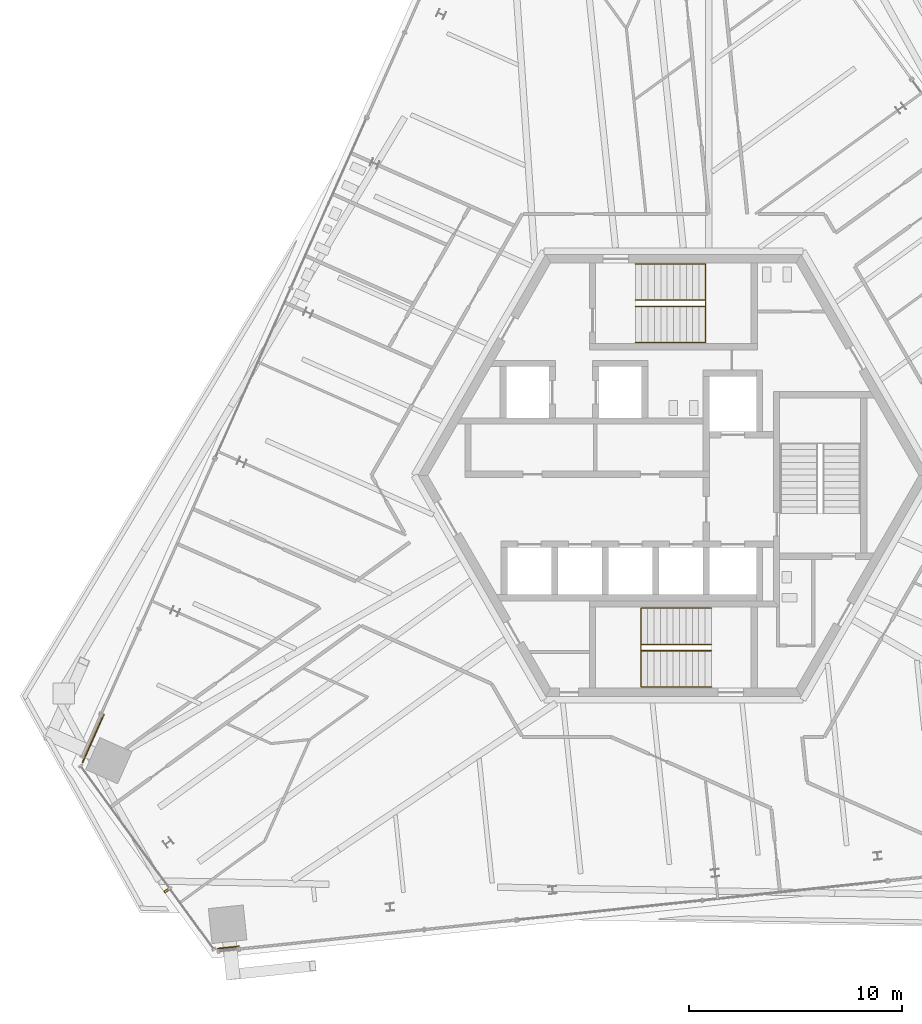
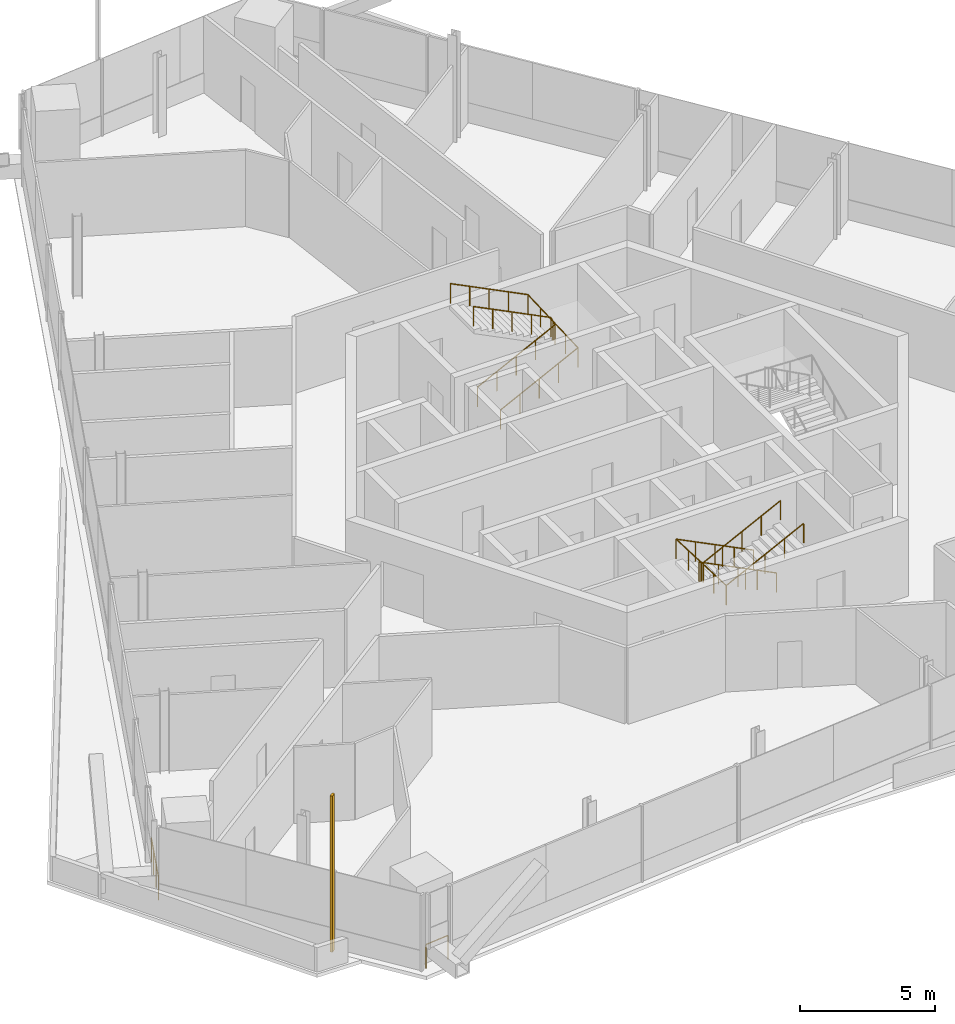
# One storey, part 18 of 21: 6 railings, 1 shading device.
"""IFC4 building model written with IfcOpenShell, lengths in metres."""

from ifc_helpers import new_model, si_unit, direction, frame, origin, origin_2d, place, context, subcontext, project, spatial, rectangle, circle, extrude, source, transform, mapped, material, type_object, element, save


model = new_model("IFC4")

# Units and contexts
model_context = context("Model", 3, precision=1e-05, world=origin(), true_north=direction((0.0, 1.0)))
body_context = subcontext(model_context, "Body", "Model", "MODEL_VIEW")
ifc_project = project(units=[si_unit("LENGTHUNIT", "METRE"), si_unit("AREAUNIT", "SQUARE_METRE"), si_unit("VOLUMEUNIT", "CUBIC_METRE"), si_unit("PLANEANGLEUNIT", "RADIAN"), si_unit("MASSUNIT", "GRAM", prefix="KILO")], contexts=[model_context])

# Site, building, storey
site_placement = place(None, origin())
site = spatial("IfcSite", under=ifc_project, at=site_placement, CompositionType="ELEMENT")
building_placement = place(site_placement, origin())
building = spatial("IfcBuilding", under=site, at=building_placement, Name="Triune Harvest Tower", CompositionType="ELEMENT")
storey_placement = place(building_placement, frame((0.0, 0.0, 219.699951171875)))
storey = spatial("IfcBuildingStorey", under=building, at=storey_placement, Name="L57", CompositionType="ELEMENT", Elevation=219.699951171875)

# Railings
ifc_material_1 = material(Name="Glass", Category="glass")
railing_type_1 = type_object("IfcRailingType", Name="GD-3 facade guard 1100", PredefinedType="GUARDRAIL", material=ifc_material_1)
railing_1_placement = place(storey_placement, frame((-26.76513671875, -11.23974609375, 0.0)))
element("IfcRailing", 1, at=railing_1_placement, inside=storey, type_object=railing_type_1, Name="Facade guard B6-F3 L57.1.2", PredefinedType="GUARDRAIL", context=body_context, shape_type="SweptSolid", body=[
    extrude(circle(Radius=0.02392578125, at=origin_2d()), frame((0.0, 0.0, 1.076171875), z_axis=(-0.406682049802, -0.91356976218, 0.0), x_axis=(0.91356976218, -0.406682049802, 0.0)), (0.0, 0.0, 1.0), 2.458251953125),
    extrude(circle(Radius=0.02099609375, at=origin_2d()), origin(), (0.0, 0.0, 1.0), 1.052001953125),
    extrude(circle(Radius=0.02099609375, at=origin_2d()), frame((-0.333251953125, -0.74853515625, 0.0)), (0.0, 0.0, 1.0), 1.052001953125),
    extrude(circle(Radius=0.02099609375, at=origin_2d()), frame((-0.66650390625, -1.497314453125, 0.0)), (0.0, 0.0, 1.0), 1.052001953125),
    extrude(circle(Radius=0.02099609375, at=origin_2d()), frame((-0.999755859375, -2.245849609375, 0.0)), (0.0, 0.0, 1.0), 1.052001953125),
])
railing_2_placement = place(storey_placement, frame((-21.4052734375, -22.23876953125, 0.0)))
element("IfcRailing", 2, at=railing_2_placement, inside=storey, type_object=railing_type_1, Name="Facade guard B6-F5 L57.1.1", PredefinedType="GUARDRAIL", context=body_context, shape_type="SweptSolid", body=[
    extrude(circle(Radius=0.02392578125, at=origin_2d()), frame((0.0, 0.0, 1.076171875), z_axis=(0.994517523304, 0.104570052315, 0.0), x_axis=(-0.104570052315, 0.994517523304, 0.0)), (0.0, 0.0, 1.0), 0.996826171875),
    extrude(circle(Radius=0.02099609375, at=origin_2d()), origin(), (0.0, 0.0, 1.0), 1.052001953125),
    extrude(circle(Radius=0.02099609375, at=origin_2d()), frame((0.991455078125, 0.104248046875, 0.0)), (0.0, 0.0, 1.0), 1.052001953125),
])
ifc_material_2 = material(Name="Stainless steel AISI 316", Category="steel")
railing_type_2 = type_object("IfcRailingType", Name="Stair handrail", PredefinedType="HANDRAIL", material=ifc_material_2)
shared_shape_1 = source(origin(), body_context, "Body", "SweptSolid", [
    extrude(circle(Radius=0.02392578125, at=origin_2d()), frame((0.0, 0.0, 0.8759765625), z_axis=(0.894440424912, 0.0, 0.447187126696), x_axis=(0.0, 1.0, 0.0)), (0.0, 0.0, 1.0), 3.689453125),
    extrude(circle(Radius=0.02392578125, at=origin_2d()), frame((3.300048828125, 0.0, 2.52587890625), z_axis=(0.0, 0.999180289278, 0.040481471304), x_axis=(-1.0, 0.0, 0.0)), (0.0, 0.0, 1.0), 3.702880859375),
    extrude(circle(Radius=0.02392578125, at=origin_2d()), frame((3.300048828125, 3.699951171875, 2.67578125), z_axis=(-0.894413956696, 0.0, 0.447240063129), x_axis=(0.0, -1.0, 0.0)), (0.0, 0.0, 1.0), 3.689697265625),
    extrude(circle(Radius=0.02099609375, at=origin_2d()), origin(), (0.0, 0.0, 1.0), 0.851806640625),
    extrude(circle(Radius=0.02099609375, at=origin_2d()), frame((0.824951171875, 0.0, 0.41259765625)), (0.0, 0.0, 1.0), 0.851806640625),
    extrude(circle(Radius=0.02099609375, at=origin_2d()), frame((1.64990234375, 0.0, 0.824951171875)), (0.0, 0.0, 1.0), 0.851806640625),
    extrude(circle(Radius=0.02099609375, at=origin_2d()), frame((2.47509765625, 0.0, 1.2373046875)), (0.0, 0.0, 1.0), 0.851806640625),
    extrude(circle(Radius=0.02099609375, at=origin_2d()), frame((3.300048828125, 0.0, 1.64990234375)), (0.0, 0.0, 1.0), 0.851806640625),
    extrude(circle(Radius=0.02099609375, at=origin_2d()), frame((3.300048828125, 0.925048828125, 1.6875)), (0.0, 0.0, 1.0), 0.851806640625),
    extrude(circle(Radius=0.02099609375, at=origin_2d()), frame((3.300048828125, 1.85009765625, 1.724853515625)), (0.0, 0.0, 1.0), 0.851806640625),
    extrude(circle(Radius=0.02099609375, at=origin_2d()), frame((3.300048828125, 2.77490234375, 1.76220703125)), (0.0, 0.0, 1.0), 0.851806640625),
    extrude(circle(Radius=0.02099609375, at=origin_2d()), frame((3.300048828125, 3.699951171875, 1.7998046875)), (0.0, 0.0, 1.0), 0.851806640625),
    extrude(circle(Radius=0.02099609375, at=origin_2d()), frame((2.47509765625, 3.699951171875, 2.21240234375)), (0.0, 0.0, 1.0), 0.851806640625),
    extrude(circle(Radius=0.02099609375, at=origin_2d()), frame((1.64990234375, 3.699951171875, 2.625)), (0.0, 0.0, 1.0), 0.851806640625),
    extrude(circle(Radius=0.02099609375, at=origin_2d()), frame((0.824951171875, 3.699951171875, 3.037353515625)), (0.0, 0.0, 1.0), 0.851806640625),
    extrude(circle(Radius=0.02099609375, at=origin_2d()), frame((0.0, 3.699951171875, 3.449951171875)), (0.0, 0.0, 1.0), 0.851806640625),
])
railing_3_placement = place(storey_placement, frame((-1.7900390625, 6.239990234375, 0.150146484375)))
element("IfcRailing", 3, at=railing_3_placement, inside=storey, type_object=railing_type_2, Name="Exit stair north wall handrail", PredefinedType="HANDRAIL", context=body_context, shape_type="MappedRepresentation", body=[
    mapped(shared_shape_1, transform((0.0, 0.0, 0.0), scale=1.0)),
])
shared_shape_2 = source(origin(), body_context, "Body", "SweptSolid", [
    extrude(circle(Radius=0.02392578125, at=origin_2d()), frame((0.0, 0.0, 0.8759765625), z_axis=(0.894440424912, 0.0, 0.447187126696), x_axis=(0.0, 1.0, 0.0)), (0.0, 0.0, 1.0), 3.689453125),
    extrude(circle(Radius=0.02392578125, at=origin_2d()), frame((3.300048828125, 0.0, 2.52587890625), z_axis=(0.0, 0.894572720946, 0.446922417137), x_axis=(-1.0, 0.0, 0.0)), (0.0, 0.0, 1.0), 0.33544921875),
    extrude(circle(Radius=0.02392578125, at=origin_2d()), frame((3.300048828125, 0.300048828125, 2.67578125), z_axis=(-0.894413956696, 0.0, 0.447240063129), x_axis=(0.0, -1.0, 0.0)), (0.0, 0.0, 1.0), 3.689697265625),
    extrude(circle(Radius=0.02099609375, at=origin_2d()), origin(), (0.0, 0.0, 1.0), 0.851806640625),
    extrude(circle(Radius=0.02099609375, at=origin_2d()), frame((0.824951171875, 0.0, 0.41259765625)), (0.0, 0.0, 1.0), 0.851806640625),
    extrude(circle(Radius=0.02099609375, at=origin_2d()), frame((1.64990234375, 0.0, 0.824951171875)), (0.0, 0.0, 1.0), 0.851806640625),
    extrude(circle(Radius=0.02099609375, at=origin_2d()), frame((2.47509765625, 0.0, 1.2373046875)), (0.0, 0.0, 1.0), 0.851806640625),
    extrude(circle(Radius=0.02099609375, at=origin_2d()), frame((3.300048828125, 0.0, 1.64990234375)), (0.0, 0.0, 1.0), 0.851806640625),
    extrude(circle(Radius=0.02099609375, at=origin_2d()), frame((3.300048828125, 0.300048828125, 1.7998046875)), (0.0, 0.0, 1.0), 0.851806640625),
    extrude(circle(Radius=0.02099609375, at=origin_2d()), frame((2.47509765625, 0.300048828125, 2.21240234375)), (0.0, 0.0, 1.0), 0.851806640625),
    extrude(circle(Radius=0.02099609375, at=origin_2d()), frame((1.64990234375, 0.300048828125, 2.625)), (0.0, 0.0, 1.0), 0.851806640625),
    extrude(circle(Radius=0.02099609375, at=origin_2d()), frame((0.824951171875, 0.300048828125, 3.037353515625)), (0.0, 0.0, 1.0), 0.851806640625),
    extrude(circle(Radius=0.02099609375, at=origin_2d()), frame((0.0, 0.300048828125, 3.449951171875)), (0.0, 0.0, 1.0), 0.851806640625),
])
railing_4_placement = place(storey_placement, frame((-1.7900390625, 7.93994140625, 0.150146484375)))
element("IfcRailing", 4, at=railing_4_placement, inside=storey, type_object=railing_type_2, Name="Exit stair north centre handrail", PredefinedType="HANDRAIL", context=body_context, shape_type="MappedRepresentation", body=[
    mapped(shared_shape_2, transform((0.0, 0.0, 0.0), scale=1.0)),
])
shared_shape_3 = source(origin(), body_context, "Body", "SweptSolid", [
    extrude(circle(Radius=0.02392578125, at=origin_2d()), frame((0.0, 0.0, 0.8759765625), z_axis=(-0.894440424912, 0.0, 0.447187126696), x_axis=(0.0, -1.0, 0.0)), (0.0, 0.0, 1.0), 3.689453125),
    extrude(circle(Radius=0.02392578125, at=origin_2d()), frame((-3.300048828125, 0.0, 2.52587890625), z_axis=(0.0, -0.999180289278, 0.040481471304), x_axis=(1.0, 0.0, 0.0)), (0.0, 0.0, 1.0), 3.702880859375),
    extrude(circle(Radius=0.02392578125, at=origin_2d()), frame((-3.300048828125, -3.699951171875, 2.67578125), z_axis=(0.894413956696, 0.0, 0.447240063129), x_axis=(0.0, 1.0, 0.0)), (0.0, 0.0, 1.0), 3.689697265625),
    extrude(circle(Radius=0.02099609375, at=origin_2d()), origin(), (0.0, 0.0, 1.0), 0.851806640625),
    extrude(circle(Radius=0.02099609375, at=origin_2d()), frame((-0.824951171875, 0.0, 0.41259765625)), (0.0, 0.0, 1.0), 0.851806640625),
    extrude(circle(Radius=0.02099609375, at=origin_2d()), frame((-1.64990234375, 0.0, 0.824951171875)), (0.0, 0.0, 1.0), 0.851806640625),
    extrude(circle(Radius=0.02099609375, at=origin_2d()), frame((-2.47509765625, 0.0, 1.2373046875)), (0.0, 0.0, 1.0), 0.851806640625),
    extrude(circle(Radius=0.02099609375, at=origin_2d()), frame((-3.300048828125, 0.0, 1.64990234375)), (0.0, 0.0, 1.0), 0.851806640625),
    extrude(circle(Radius=0.02099609375, at=origin_2d()), frame((-3.300048828125, -0.925048828125, 1.6875)), (0.0, 0.0, 1.0), 0.851806640625),
    extrude(circle(Radius=0.02099609375, at=origin_2d()), frame((-3.300048828125, -1.85009765625, 1.724853515625)), (0.0, 0.0, 1.0), 0.851806640625),
    extrude(circle(Radius=0.02099609375, at=origin_2d()), frame((-3.300048828125, -2.77490234375, 1.76220703125)), (0.0, 0.0, 1.0), 0.851806640625),
    extrude(circle(Radius=0.02099609375, at=origin_2d()), frame((-3.300048828125, -3.699951171875, 1.7998046875)), (0.0, 0.0, 1.0), 0.851806640625),
    extrude(circle(Radius=0.02099609375, at=origin_2d()), frame((-2.47509765625, -3.699951171875, 2.21240234375)), (0.0, 0.0, 1.0), 0.851806640625),
    extrude(circle(Radius=0.02099609375, at=origin_2d()), frame((-1.64990234375, -3.699951171875, 2.625)), (0.0, 0.0, 1.0), 0.851806640625),
    extrude(circle(Radius=0.02099609375, at=origin_2d()), frame((-0.824951171875, -3.699951171875, 3.037353515625)), (0.0, 0.0, 1.0), 0.851806640625),
    extrude(circle(Radius=0.02099609375, at=origin_2d()), frame((0.0, -3.699951171875, 3.449951171875)), (0.0, 0.0, 1.0), 0.851806640625),
])
railing_5_placement = place(storey_placement, frame((1.7900390625, -6.239990234375, 0.150146484375)))
element("IfcRailing", 5, at=railing_5_placement, inside=storey, type_object=railing_type_2, Name="Exit stair south wall handrail", PredefinedType="HANDRAIL", context=body_context, shape_type="MappedRepresentation", body=[
    mapped(shared_shape_3, transform((0.0, 0.0, 0.0), scale=1.0)),
])
shared_shape_4 = source(origin(), body_context, "Body", "SweptSolid", [
    extrude(circle(Radius=0.02392578125, at=origin_2d()), frame((0.0, 0.0, 0.8759765625), z_axis=(-0.894440424912, 0.0, 0.447187126696), x_axis=(0.0, -1.0, 0.0)), (0.0, 0.0, 1.0), 3.689453125),
    extrude(circle(Radius=0.02392578125, at=origin_2d()), frame((-3.300048828125, 0.0, 2.52587890625), z_axis=(0.0, -0.894572720946, 0.446922417137), x_axis=(1.0, 0.0, 0.0)), (0.0, 0.0, 1.0), 0.33544921875),
    extrude(circle(Radius=0.02392578125, at=origin_2d()), frame((-3.300048828125, -0.300048828125, 2.67578125), z_axis=(0.894413956696, 0.0, 0.447240063129), x_axis=(0.0, 1.0, 0.0)), (0.0, 0.0, 1.0), 3.689697265625),
    extrude(circle(Radius=0.02099609375, at=origin_2d()), origin(), (0.0, 0.0, 1.0), 0.851806640625),
    extrude(circle(Radius=0.02099609375, at=origin_2d()), frame((-0.824951171875, 0.0, 0.41259765625)), (0.0, 0.0, 1.0), 0.851806640625),
    extrude(circle(Radius=0.02099609375, at=origin_2d()), frame((-1.64990234375, 0.0, 0.824951171875)), (0.0, 0.0, 1.0), 0.851806640625),
    extrude(circle(Radius=0.02099609375, at=origin_2d()), frame((-2.47509765625, 0.0, 1.2373046875)), (0.0, 0.0, 1.0), 0.851806640625),
    extrude(circle(Radius=0.02099609375, at=origin_2d()), frame((-3.300048828125, 0.0, 1.64990234375)), (0.0, 0.0, 1.0), 0.851806640625),
    extrude(circle(Radius=0.02099609375, at=origin_2d()), frame((-3.300048828125, -0.300048828125, 1.7998046875)), (0.0, 0.0, 1.0), 0.851806640625),
    extrude(circle(Radius=0.02099609375, at=origin_2d()), frame((-2.47509765625, -0.300048828125, 2.21240234375)), (0.0, 0.0, 1.0), 0.851806640625),
    extrude(circle(Radius=0.02099609375, at=origin_2d()), frame((-1.64990234375, -0.300048828125, 2.625)), (0.0, 0.0, 1.0), 0.851806640625),
    extrude(circle(Radius=0.02099609375, at=origin_2d()), frame((-0.824951171875, -0.300048828125, 3.037353515625)), (0.0, 0.0, 1.0), 0.851806640625),
    extrude(circle(Radius=0.02099609375, at=origin_2d()), frame((0.0, -0.300048828125, 3.449951171875)), (0.0, 0.0, 1.0), 0.851806640625),
])
railing_6_placement = place(storey_placement, frame((1.7900390625, -7.93994140625, 0.150146484375)))
element("IfcRailing", 6, at=railing_6_placement, inside=storey, type_object=railing_type_2, Name="Exit stair south centre handrail", PredefinedType="HANDRAIL", context=body_context, shape_type="MappedRepresentation", body=[
    mapped(shared_shape_4, transform((0.0, 0.0, 0.0), scale=1.0)),
])

# Shading device
ifc_material_3 = material(Name="Aluminium bronze anodised", Category="aluminium")
shared_shape_5 = source(origin(), body_context, "Body", "SweptSolid", [
    extrude(rectangle(XDim=0.10009765625, YDim=0.199951171875, at=origin_2d()), origin(), (0.0, 0.0, 1.0), 7.0400390625),
])
shading_device_placement = place(storey_placement, frame((-23.83544921875, -19.52734375, 0.0), z_axis=(0.0, 0.0, 1.0), x_axis=(0.587788936013, -0.809014317982, 0.0)))
element("IfcShadingDevice", 7, at=shading_device_placement, inside=storey, material=ifc_material_3, Name="FN-1 fin B6-F4.3 L57", ObjectType="FIN", PredefinedType="USERDEFINED", context=body_context, shape_type="MappedRepresentation", body=[
    mapped(shared_shape_5, transform((0.0, 0.0, 0.0), scale=1.0)),
])

save(model, "model.ifc")
